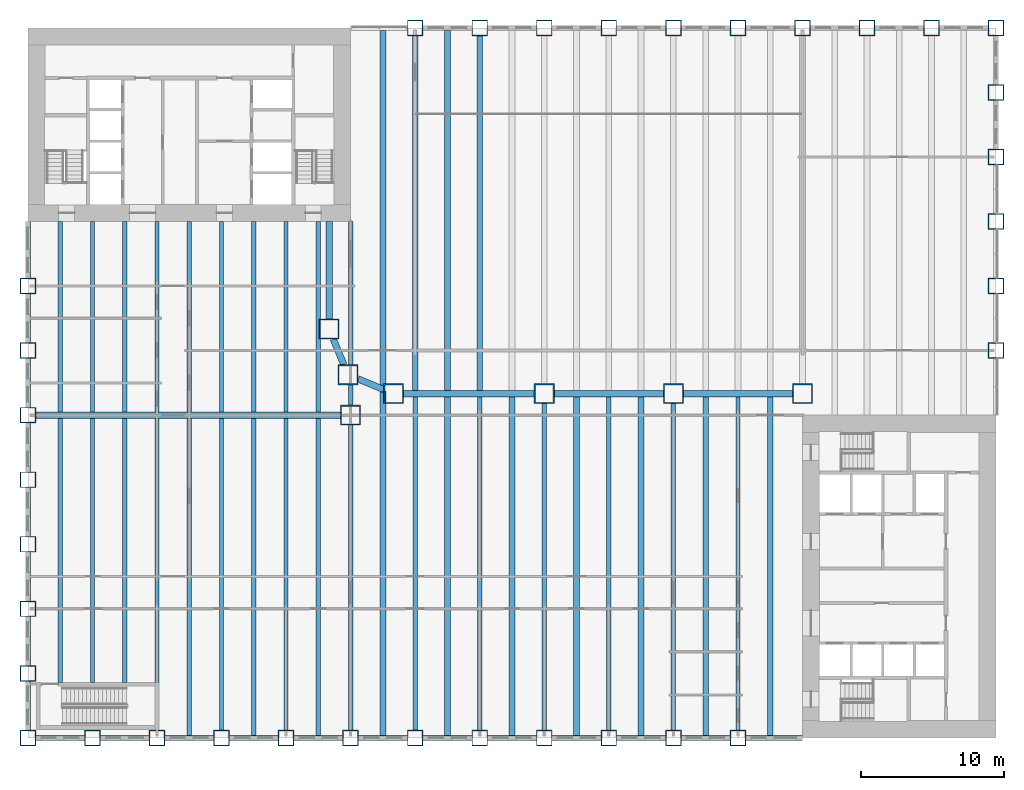
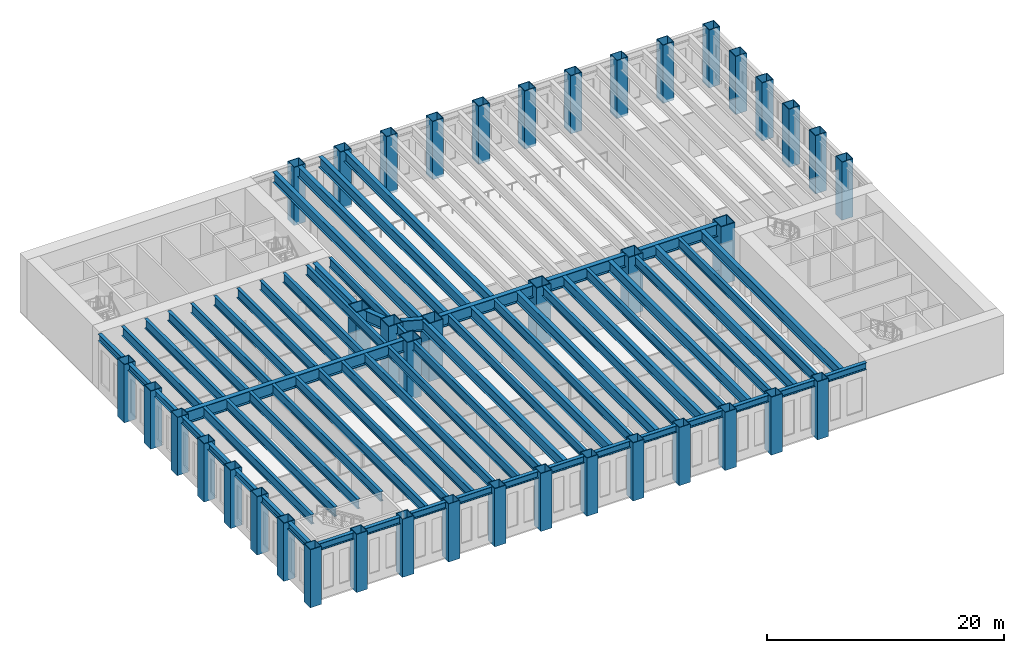
# One storey, part 1 of 19: 65 beams, 41 columns.
"""IFC4 building model written with IfcOpenShell, lengths in metres."""

import ifcopenshell
import ifcopenshell.guid

model = None  # the IFC model being written
_history = None  # IfcOwnerHistory: only IFC2X3 demands one
_inside = {}  # id of a spatial element -> (the spatial element, [elements in it])
_under = {}  # id of a project, library or spatial element -> (it, [spatial elements below it])
_declared = {}  # id of a project -> (the project, [libraries it declares])
_typed = {}  # id of a type object -> (the type object, [elements of that type])
_made_of = {}  # id of a material, layer set ... -> (it, [elements and type objects made of it])


def new_model(schema):
    """Start an empty IFC model of exactly this schema.

    Asked for "IFC4X3", IfcOpenShell would pick the latest addendum, in which some entities
    have other attributes; the version numbers below select the first issue.
    IFC2X3 requires an IfcOwnerHistory on every rooted entity: one is made here for all.
    """
    global model, _history
    if schema == "IFC4X3":
        model = ifcopenshell.file(schema_version=(4, 3, 0, 0))
    else:
        model = ifcopenshell.file(schema=schema)
    _inside.clear()
    _under.clear()
    _declared.clear()
    _typed.clear()
    _made_of.clear()
    _history = None
    if model.schema == "IFC2X3":
        org = make("IfcOrganization", Name="unknown")
        user = make(
            "IfcPersonAndOrganization",
            ThePerson=make("IfcPerson", FamilyName="unknown"),
            TheOrganization=org,
        )
        app = make(
            "IfcApplication",
            ApplicationDeveloper=org,
            Version="unknown",
            ApplicationFullName="unknown",
            ApplicationIdentifier="unknown",
        )
        _history = make(
            "IfcOwnerHistory",
            OwningUser=user,
            OwningApplication=app,
            ChangeAction="ADDED",
            CreationDate=0,
        )
    return model


def make(cls, **values):
    """One entity of the class cls with the attributes given. An attribute that is None is left unset."""
    return model.create_entity(
        cls, **{name: value for name, value in values.items() if value is not None}
    )


def rooted(cls, **values):
    """An entity with a GlobalId (a new one), such as an element, a storey or a relation."""
    return make(cls, GlobalId=ifcopenshell.guid.new(), OwnerHistory=_history, **values)


def si_unit(unit_type, name, prefix=None):
    """IfcSIUnit, for example si_unit("LENGTHUNIT", "METRE", prefix="MILLI")."""
    return make("IfcSIUnit", UnitType=unit_type, Prefix=prefix, Name=name)


def assignment(units):
    """IfcUnitAssignment: the units of a project."""
    return None if units is None else make("IfcUnitAssignment", Units=units)


def point(xyz):
    """IfcCartesianPoint."""
    return None if xyz is None else make("IfcCartesianPoint", Coordinates=xyz)


def direction(xyz):
    """IfcDirection."""
    return None if xyz is None else make("IfcDirection", DirectionRatios=xyz)


def frame(location, z_axis=None, x_axis=None):
    """IfcAxis2Placement3D, a coordinate frame: its origin and axes. An axis left out is left unset."""
    return make(
        "IfcAxis2Placement3D",
        Location=point(location),
        Axis=direction(z_axis),
        RefDirection=direction(x_axis),
    )


def frame_2d(location, x_axis=None):
    """IfcAxis2Placement2D, a coordinate frame in the plane: its origin and x axis."""
    return make(
        "IfcAxis2Placement2D", Location=point(location), RefDirection=direction(x_axis)
    )


def origin():
    """The frame at (0, 0, 0) with its axes left unset."""
    return frame((0.0, 0.0, 0.0))


def origin_2d():
    """The frame at (0, 0) in the plane with its x axis left unset."""
    return frame_2d((0.0, 0.0))


def place(relative_to, where):
    """IfcLocalPlacement: puts the frame where relative to a parent placement (None: the world)."""
    return make(
        "IfcLocalPlacement", PlacementRelTo=relative_to, RelativePlacement=where
    )


def context(
    kind, dimensions, precision=None, world=None, true_north=None, identifier=None
):
    """IfcGeometricRepresentationContext, for example the 3D "Model" context."""
    return make(
        "IfcGeometricRepresentationContext",
        ContextIdentifier=identifier,
        ContextType=kind,
        CoordinateSpaceDimension=dimensions,
        Precision=precision,
        WorldCoordinateSystem=world,
        TrueNorth=true_north,
    )


def subcontext(parent, identifier, kind, view, scale=None):
    """IfcGeometricRepresentationSubContext, for example "Body" below "Model"."""
    return make(
        "IfcGeometricRepresentationSubContext",
        ContextIdentifier=identifier,
        ContextType=kind,
        ParentContext=parent,
        TargetScale=scale,
        TargetView=view,
    )


def project(units=None, contexts=None):
    """IfcProject with its units and contexts."""
    return rooted(
        "IfcProject",
        Name="project",
        RepresentationContexts=contexts,
        UnitsInContext=assignment(units),
    )


def spatial(cls, under=None, at=None, **own):
    """A site, building, storey or space (cls), placed at a placement, below another one or the project."""
    s = rooted(cls, ObjectPlacement=at, **own)
    if under is not None:
        _under.setdefault(under.id(), (under, []))[1].append(s)
    return s


def profile(cls, at=None, kind="AREA", **sizes):
    """A parametric profile (cls). Its sizes go by their IFC names, for example OverallWidth=200.0."""
    return make(cls, ProfileType=kind, Position=at, **sizes)


def hollow_rectangle(**sizes):
    """IfcRectangleHollowProfileDef."""
    return profile("IfcRectangleHollowProfileDef", **sizes)


def i_section(**sizes):
    """IfcIShapeProfileDef."""
    return profile("IfcIShapeProfileDef", **sizes)


def extrude(swept, where, along, depth):
    """IfcExtrudedAreaSolid: the profile swept, set in the frame where, extruded along a direction by depth."""
    return make(
        "IfcExtrudedAreaSolid",
        SweptArea=swept,
        Position=where,
        ExtrudedDirection=direction(along),
        Depth=depth,
    )


def shape(context_of_items, identifier, shape_type, items):
    """IfcShapeRepresentation: the items that make up one representation, for example the "Body"."""
    return make(
        "IfcShapeRepresentation",
        ContextOfItems=context_of_items,
        RepresentationIdentifier=identifier,
        RepresentationType=shape_type,
        Items=items,
    )


def material(Name=None, Category=None):
    """IfcMaterial."""
    return make("IfcMaterial", Name=Name, Category=Category)


def material_profile(
    of_material, cross_section, Name=None, Category=None, Priority=None
):
    """IfcMaterialProfile: a cross section and its material."""
    return make(
        "IfcMaterialProfile",
        Name=Name,
        Material=of_material,
        Profile=cross_section,
        Priority=Priority,
        Category=Category,
    )


def profile_set(profiles, Name=None, composite=None):
    """IfcMaterialProfileSet."""
    return make(
        "IfcMaterialProfileSet",
        Name=Name,
        MaterialProfiles=profiles,
        CompositeProfile=composite,
    )


def made_of(thing, what):
    """Note that an element or type object is made of a material, layer set ...; save() writes the relation."""
    if what is not None:
        _made_of.setdefault(what.id(), (what, []))[1].append(thing)
    return thing


def type_object(cls, material=None, **own):
    """A type object (cls), such as IfcWallType, which elements share."""
    return made_of(rooted(cls, **own), material)


def element(
    cls,
    number,
    at=None,
    inside=None,
    cuts=None,
    type_object=None,
    material=None,
    context=None,
    identifier="Body",
    shape_type=None,
    held_by="IfcProductDefinitionShape",
    body=None,
    shapes=None,
    **own,
):
    """One element of the class cls, such as IfcWall. Its Tag is "e" and its number.

    at: its placement. inside: the storey or other place that contains it. cuts: it is an
    opening in that element (IfcRelVoidsElement). A single representation is given by context,
    identifier, shape_type and body (its items); several are given by shapes. held_by: the class
    of the entity that holds the representations. save() writes the other relations.
    """
    e = rooted(cls, Tag="e%d" % number, ObjectPlacement=at, **own)
    if body is not None:
        shapes = [shape(context, identifier, shape_type, body)]
    if shapes is not None:
        e.Representation = make(held_by, Representations=shapes)
    if inside is not None:
        _inside.setdefault(inside.id(), (inside, []))[1].append(e)
    if cuts is not None:
        rooted(
            "IfcRelVoidsElement", RelatingBuildingElement=cuts, RelatedOpeningElement=e
        )
    if type_object is not None:
        _typed.setdefault(type_object.id(), (type_object, []))[1].append(e)
    return made_of(e, material)


def aggregate(whole, parts):
    """IfcRelAggregates: a whole, such as a stair, and the parts it consists of."""
    return rooted("IfcRelAggregates", RelatingObject=whole, RelatedObjects=parts)


def save(model, path):
    """Write the relations noted so far, then the file.

    IfcRelAggregates (storeys below a building ...), IfcRelContainedInSpatialStructure (elements
    in a storey), IfcRelDefinesByType, IfcRelAssociatesMaterial and IfcRelDeclares: one each for
    every whole, place, type object, material and project.
    """
    for whole, parts in _under.values():
        aggregate(whole, parts)
    for where, things in _inside.values():
        rooted(
            "IfcRelContainedInSpatialStructure",
            RelatedElements=things,
            RelatingStructure=where,
        )
    for kind, things in _typed.values():
        rooted("IfcRelDefinesByType", RelatedObjects=things, RelatingType=kind)
    for what, things in _made_of.values():
        rooted("IfcRelAssociatesMaterial", RelatedObjects=things, RelatingMaterial=what)
    for by, libraries in _declared.values():
        rooted("IfcRelDeclares", RelatingContext=by, RelatedDefinitions=libraries)
    model.write(path)


model = new_model("IFC4")

# Units and contexts
model_context = context("Model", 3, precision=1e-05, world=origin(), true_north=direction((0.0, 1.0)))
body_context = subcontext(model_context, "Body", "Model", "MODEL_VIEW")
ifc_project = project(units=[si_unit("LENGTHUNIT", "METRE"), si_unit("AREAUNIT", "SQUARE_METRE"), si_unit("VOLUMEUNIT", "CUBIC_METRE"), si_unit("PLANEANGLEUNIT", "RADIAN"), si_unit("MASSUNIT", "GRAM", prefix="KILO")], contexts=[model_context])

# Site, building, storey
site_placement = place(None, origin())
site = spatial("IfcSite", under=ifc_project, at=site_placement, CompositionType="ELEMENT")
building_placement = place(site_placement, origin())
building = spatial("IfcBuilding", under=site, at=building_placement, Name="Sennacour Bend Tower", CompositionType="ELEMENT")
storey_placement = place(building_placement, frame((0.0, 0.0, 8.0)))
storey = spatial("IfcBuildingStorey", under=building, at=storey_placement, Name="L01", CompositionType="ELEMENT", Elevation=8.0)

# Columns
ifc_material_1 = material(Name="Steel ASTM A572 Grade 50", Category="steel")
ifc_material_profile_1 = material_profile(ifc_material_1, hollow_rectangle(XDim=1.10009765625, YDim=1.10009765625, WallThickness=0.06005859375, at=origin_2d()), Name="Steel ASTM A572 Grade 50", Category="steel")
ifc_profile_set_1 = profile_set([ifc_material_profile_1], Name="Steel ASTM A572 Grade 50")
column_type_1 = type_object("IfcColumnType", Name="Box column 1100", PredefinedType="COLUMN", material=ifc_profile_set_1)
for number, where, z_axis, x_axis, name in (
    (1, (0.0, 0.0, -0.25), (0.0, 0.0, 1.0), (1.0, 0.0, 0.0), "Perimeter column C1 L01-001"),
    (2, (0.0, 4.5, -0.25), (0.0, 0.0, 1.0), (1.0, 0.0, 0.0), "Perimeter column C1 L01-002"),
    (3, (0.0, 9.0, -0.25), (0.0, 0.0, 1.0), (1.0, 0.0, 0.0), "Perimeter column C1 L01-003"),
    (4, (0.0, 13.5, -0.25), (0.0, 0.0, 1.0), (1.0, 0.0, 0.0), "Perimeter column C1 L01-004"),
    (5, (0.0, 18.0, -0.25), (0.0, 0.0, 1.0), (1.0, 0.0, 0.0), "Perimeter column C1 L01-005"),
    (6, (0.0, 22.5, -0.25), (0.0, 0.0, 1.0), (1.0, 0.0, 0.0), "Perimeter column C1 L01-006"),
    (7, (0.0, 27.0, -0.25), (0.0, 0.0, 1.0), (1.0, 0.0, 0.0), "Perimeter column C1 L01-007"),
    (8, (0.0, 31.5, -0.25), (0.0, 0.0, 1.0), (1.0, 0.0, 0.0), "Perimeter column C1 L01-008"),
    (9, (4.5, 0.0, -0.25), (0.0, 0.0, 1.0), (1.0, 0.0, 0.0), "Perimeter column C1 L01-009"),
    (10, (9.0, 0.0, -0.25), (0.0, 0.0, 1.0), (1.0, 0.0, 0.0), "Perimeter column C1 L01-010"),
    (11, (13.5, 0.0, -0.25), (0.0, 0.0, 1.0), (1.0, 0.0, 0.0), "Perimeter column C1 L01-011"),
    (12, (18.0, 0.0, -0.25), (0.0, 0.0, 1.0), (1.0, 0.0, 0.0), "Perimeter column C1 L01-012"),
    (13, (22.5, 0.0, -0.25), (0.0, 0.0, 1.0), (1.0, 0.0, 0.0), "Perimeter column C1 L01-015"),
    (14, (27.0, 0.0, -0.25), (0.0, 0.0, 1.0), (1.0, 0.0, 0.0), "Perimeter column C1 L01-018"),
    (15, (27.0, 49.5, -0.25), (0.0, 0.0, 1.0), (1.0, 0.0, 0.0), "Perimeter column C1 L01-019"),
    (16, (31.5, 0.0, -0.25), (0.0, 0.0, 1.0), (1.0, 0.0, 0.0), "Perimeter column C1 L01-020"),
    (17, (31.5, 49.5, -0.25), (0.0, 0.0, 1.0), (1.0, 0.0, 0.0), "Perimeter column C1 L01-021"),
    (18, (36.0, 0.0, -0.25), (0.0, 0.0, 1.0), (1.0, 0.0, 0.0), "Perimeter column C1 L01-022"),
    (19, (36.0, 49.5, -0.25), (0.0, 0.0, 1.0), (1.0, 0.0, 0.0), "Perimeter column C1 L01-024"),
    (20, (40.5, 0.0, -0.25), (0.0, 0.0, 1.0), (1.0, 0.0, 0.0), "Perimeter column C1 L01-025"),
    (21, (40.5, 49.5, -0.25), (0.0, 0.0, 1.0), (1.0, 0.0, 0.0), "Perimeter column C1 L01-026"),
    (22, (45.0, 0.0, -0.25), (0.0, 0.0, 1.0), (1.0, 0.0, 0.0), "Perimeter column C1 L01-027"),
    (23, (45.0, 49.5, -0.25), (0.0, 0.0, 1.0), (1.0, 0.0, 0.0), "Perimeter column C1 L01-029"),
    (24, (49.5, 0.0, -0.25), (0.0, 0.0, 1.0), (1.0, 0.0, 0.0), "Perimeter column C1 L01-030"),
    (25, (49.5, 49.5, -0.25), (0.0, 0.0, 1.0), (1.0, 0.0, 0.0), "Perimeter column C1 L01-031"),
    (26, (54.0, 49.5, -0.25), (0.0, 0.0, 1.0), (1.0, 0.0, 0.0), "Perimeter column C1 L01-033"),
    (27, (58.5, 49.5, -0.25), (0.0, 0.0, 1.0), (1.0, 0.0, 0.0), "Perimeter column C1 L01-034"),
    (28, (63.0, 49.5, -0.25), (0.0, 0.0, 1.0), (1.0, 0.0, 0.0), "Perimeter column C1 L01-035"),
    (29, (67.5, 27.0, -0.25), (0.0, 0.0, 1.0), (1.0, 0.0, 0.0), "Perimeter column C1 L01-036"),
    (30, (67.5, 31.5, -0.25), (0.0, 0.0, 1.0), (1.0, 0.0, 0.0), "Perimeter column C1 L01-037"),
    (31, (67.5, 36.0, -0.25), (0.0, 0.0, 1.0), (1.0, 0.0, 0.0), "Perimeter column C1 L01-038"),
    (32, (67.5, 40.5, -0.25), (0.0, 0.0, 1.0), (1.0, 0.0, 0.0), "Perimeter column C1 L01-039"),
    (33, (67.5, 45.0, -0.25), (0.0, 0.0, 1.0), (1.0, 0.0, 0.0), "Perimeter column C1 L01-040"),
    (34, (67.5, 49.5, -0.25), (0.0, 0.0, 1.0), (1.0, 0.0, 0.0), "Perimeter column C1 L01-041"),
):
    element("IfcColumn", number, at=place(storey_placement, frame(where, z_axis=z_axis, x_axis=x_axis)), inside=storey, type_object=column_type_1, Name=name, PredefinedType="COLUMN", context=body_context, shape_type="SweptSolid", body=[
        extrude(hollow_rectangle(XDim=1.10009765625, YDim=1.10009765625, WallThickness=0.06005859375, at=origin_2d()), origin(), (0.0, 0.0, 1.0), 6.0),
    ])
ifc_material_profile_2 = material_profile(ifc_material_1, hollow_rectangle(XDim=1.39990234375, YDim=1.39990234375, WallThickness=0.080078125, at=origin_2d()), Name="Steel ASTM A572 Grade 50", Category="steel")
ifc_profile_set_2 = profile_set([ifc_material_profile_2], Name="Steel ASTM A572 Grade 50")
column_type_2 = type_object("IfcColumnType", Name="Mega box column 1400", PredefinedType="COLUMN", material=ifc_profile_set_2)
for number, where, z_axis, x_axis, name in (
    (35, (21.0, 28.5, -0.25), (0.0, 0.0, 1.0), (1.0, 0.0, 0.0), "Mega column C0 L01-013"),
    (36, (22.318115234375, 25.318115234375, -0.25), (0.0, 0.0, 1.0), (1.0, 0.0, 0.0), "Mega column C0 L01-014"),
    (37, (22.5, 22.5, -0.25), (0.0, 0.0, 1.0), (1.0, 0.0, 0.0), "Knuckle column C0 L01-016"),
    (38, (25.5, 24.0, -0.25), (0.0, 0.0, 1.0), (1.0, 0.0, 0.0), "Mega column C0 L01-017"),
    (39, (36.0, 24.0, -0.25), (0.0, 0.0, 1.0), (1.0, 0.0, 0.0), "Mega column C0 L01-023"),
    (40, (45.0, 24.0, -0.25), (0.0, 0.0, 1.0), (1.0, 0.0, 0.0), "Mega column C0 L01-028"),
    (41, (54.0, 24.0, -0.25), (0.0, 0.0, 1.0), (1.0, 0.0, 0.0), "Mega column C0 L01-032"),
):
    element("IfcColumn", number, at=place(storey_placement, frame(where, z_axis=z_axis, x_axis=x_axis)), inside=storey, type_object=column_type_2, Name=name, PredefinedType="COLUMN", context=body_context, shape_type="SweptSolid", body=[
        extrude(hollow_rectangle(XDim=1.39990234375, YDim=1.39990234375, WallThickness=0.080078125, at=origin_2d()), origin(), (0.0, 0.0, 1.0), 6.0),
    ])

# Beams
ifc_material_2 = material(Name="Steel ASTM A992 Grade 50", Category="steel")
ifc_material_profile_3 = material_profile(ifc_material_2, i_section(OverallWidth=0.300048828125, OverallDepth=0.990966796875, WebThickness=0.0166015625, FlangeThickness=0.030517578125, FilletRadius=0.030029296875, at=origin_2d()), Name="Steel ASTM A992 Grade 50", Category="steel")
ifc_profile_set_3 = profile_set([ifc_material_profile_3], Name="Steel ASTM A992 Grade 50")
beam_type_1 = type_object("IfcBeamType", Name="Floor beam W1000X272", PredefinedType="BEAM", material=ifc_profile_set_3)
beam_1_placement = place(storey_placement, frame((2.25, 3.875, 5.25439453125), z_axis=(0.0, 1.0, 0.0), x_axis=(-1.0, 0.0, 0.0)))
element("IfcBeam", 42, at=beam_1_placement, inside=storey, type_object=beam_type_1, Name="Floor beam FBM3 L02-001", PredefinedType="BEAM", context=body_context, shape_type="SweptSolid", body=[
    extrude(i_section(OverallWidth=0.300048828125, OverallDepth=0.990966796875, WebThickness=0.0166015625, FlangeThickness=0.030517578125, FilletRadius=0.030029296875, at=origin_2d()), origin(), (0.0, 0.0, 1.0), 18.39990234375),
])
beam_2_placement = place(storey_placement, frame((2.25, 22.72509765625, 5.25439453125), z_axis=(0.0, 1.0, 0.0), x_axis=(-1.0, 0.0, 0.0)))
element("IfcBeam", 43, at=beam_2_placement, inside=storey, type_object=beam_type_1, Name="Floor beam FBM3 L02-002", PredefinedType="BEAM", context=body_context, shape_type="SweptSolid", body=[
    extrude(i_section(OverallWidth=0.300048828125, OverallDepth=0.990966796875, WebThickness=0.0166015625, FlangeThickness=0.030517578125, FilletRadius=0.030029296875, at=origin_2d()), origin(), (0.0, 0.0, 1.0), 13.27490234375),
])
beam_3_placement = place(storey_placement, frame((4.5, 3.875, 5.25439453125), z_axis=(0.0, 1.0, 0.0), x_axis=(-1.0, 0.0, 0.0)))
element("IfcBeam", 44, at=beam_3_placement, inside=storey, type_object=beam_type_1, Name="Floor beam FBM3 L02-003", PredefinedType="BEAM", context=body_context, shape_type="SweptSolid", body=[
    extrude(i_section(OverallWidth=0.300048828125, OverallDepth=0.990966796875, WebThickness=0.0166015625, FlangeThickness=0.030517578125, FilletRadius=0.030029296875, at=origin_2d()), origin(), (0.0, 0.0, 1.0), 18.39990234375),
])
beam_4_placement = place(storey_placement, frame((4.5, 22.72509765625, 5.25439453125), z_axis=(0.0, 1.0, 0.0), x_axis=(-1.0, 0.0, 0.0)))
element("IfcBeam", 45, at=beam_4_placement, inside=storey, type_object=beam_type_1, Name="Floor beam FBM3 L02-004", PredefinedType="BEAM", context=body_context, shape_type="SweptSolid", body=[
    extrude(i_section(OverallWidth=0.300048828125, OverallDepth=0.990966796875, WebThickness=0.0166015625, FlangeThickness=0.030517578125, FilletRadius=0.030029296875, at=origin_2d()), origin(), (0.0, 0.0, 1.0), 13.27490234375),
])
beam_5_placement = place(storey_placement, frame((6.75, 3.875, 5.25439453125), z_axis=(0.0, 1.0, 0.0), x_axis=(-1.0, 0.0, 0.0)))
element("IfcBeam", 46, at=beam_5_placement, inside=storey, type_object=beam_type_1, Name="Floor beam FBM3 L02-005", PredefinedType="BEAM", context=body_context, shape_type="SweptSolid", body=[
    extrude(i_section(OverallWidth=0.300048828125, OverallDepth=0.990966796875, WebThickness=0.0166015625, FlangeThickness=0.030517578125, FilletRadius=0.030029296875, at=origin_2d()), origin(), (0.0, 0.0, 1.0), 18.39990234375),
])
beam_6_placement = place(storey_placement, frame((6.75, 22.72509765625, 5.25439453125), z_axis=(0.0, 1.0, 0.0), x_axis=(-1.0, 0.0, 0.0)))
element("IfcBeam", 47, at=beam_6_placement, inside=storey, type_object=beam_type_1, Name="Floor beam FBM3 L02-006", PredefinedType="BEAM", context=body_context, shape_type="SweptSolid", body=[
    extrude(i_section(OverallWidth=0.300048828125, OverallDepth=0.990966796875, WebThickness=0.0166015625, FlangeThickness=0.030517578125, FilletRadius=0.030029296875, at=origin_2d()), origin(), (0.0, 0.0, 1.0), 13.27490234375),
])
beam_7_placement = place(storey_placement, frame((9.0, 3.875, 5.25439453125), z_axis=(0.0, 1.0, 0.0), x_axis=(-1.0, 0.0, 0.0)))
element("IfcBeam", 48, at=beam_7_placement, inside=storey, type_object=beam_type_1, Name="Floor beam FBM3 L02-007", PredefinedType="BEAM", context=body_context, shape_type="SweptSolid", body=[
    extrude(i_section(OverallWidth=0.300048828125, OverallDepth=0.990966796875, WebThickness=0.0166015625, FlangeThickness=0.030517578125, FilletRadius=0.030029296875, at=origin_2d()), origin(), (0.0, 0.0, 1.0), 18.39990234375),
])
beam_8_placement = place(storey_placement, frame((9.0, 22.72509765625, 5.25439453125), z_axis=(0.0, 1.0, 0.0), x_axis=(-1.0, 0.0, 0.0)))
element("IfcBeam", 49, at=beam_8_placement, inside=storey, type_object=beam_type_1, Name="Floor beam FBM3 L02-008", PredefinedType="BEAM", context=body_context, shape_type="SweptSolid", body=[
    extrude(i_section(OverallWidth=0.300048828125, OverallDepth=0.990966796875, WebThickness=0.0166015625, FlangeThickness=0.030517578125, FilletRadius=0.030029296875, at=origin_2d()), origin(), (0.0, 0.0, 1.0), 13.27490234375),
])
beam_9_placement = place(storey_placement, frame((11.25, 0.177978515625, 5.25439453125), z_axis=(0.0, 1.0, 0.0), x_axis=(-1.0, 0.0, 0.0)))
element("IfcBeam", 50, at=beam_9_placement, inside=storey, type_object=beam_type_1, Name="Floor beam FBM3 L02-009", PredefinedType="BEAM", context=body_context, shape_type="SweptSolid", body=[
    extrude(i_section(OverallWidth=0.300048828125, OverallDepth=0.990966796875, WebThickness=0.0166015625, FlangeThickness=0.030517578125, FilletRadius=0.030029296875, at=origin_2d()), origin(), (0.0, 0.0, 1.0), 22.096923828125),
])
beam_10_placement = place(storey_placement, frame((11.25, 22.72509765625, 5.25439453125), z_axis=(0.0, 1.0, 0.0), x_axis=(-1.0, 0.0, 0.0)))
element("IfcBeam", 51, at=beam_10_placement, inside=storey, type_object=beam_type_1, Name="Floor beam FBM3 L02-010", PredefinedType="BEAM", context=body_context, shape_type="SweptSolid", body=[
    extrude(i_section(OverallWidth=0.300048828125, OverallDepth=0.990966796875, WebThickness=0.0166015625, FlangeThickness=0.030517578125, FilletRadius=0.030029296875, at=origin_2d()), origin(), (0.0, 0.0, 1.0), 13.27490234375),
])
beam_11_placement = place(storey_placement, frame((13.5, 0.550048828125, 5.25439453125), z_axis=(0.0, 1.0, 0.0), x_axis=(-1.0, 0.0, 0.0)))
element("IfcBeam", 52, at=beam_11_placement, inside=storey, type_object=beam_type_1, Name="Floor beam FBM3 L02-011", PredefinedType="BEAM", context=body_context, shape_type="SweptSolid", body=[
    extrude(i_section(OverallWidth=0.300048828125, OverallDepth=0.990966796875, WebThickness=0.0166015625, FlangeThickness=0.030517578125, FilletRadius=0.030029296875, at=origin_2d()), origin(), (0.0, 0.0, 1.0), 21.724853515625),
])
beam_12_placement = place(storey_placement, frame((13.5, 22.72509765625, 5.25439453125), z_axis=(0.0, 1.0, 0.0), x_axis=(-1.0, 0.0, 0.0)))
element("IfcBeam", 53, at=beam_12_placement, inside=storey, type_object=beam_type_1, Name="Floor beam FBM3 L02-012", PredefinedType="BEAM", context=body_context, shape_type="SweptSolid", body=[
    extrude(i_section(OverallWidth=0.300048828125, OverallDepth=0.990966796875, WebThickness=0.0166015625, FlangeThickness=0.030517578125, FilletRadius=0.030029296875, at=origin_2d()), origin(), (0.0, 0.0, 1.0), 13.27490234375),
])
beam_13_placement = place(storey_placement, frame((15.75, 0.177978515625, 5.25439453125), z_axis=(0.0, 1.0, 0.0), x_axis=(-1.0, 0.0, 0.0)))
element("IfcBeam", 54, at=beam_13_placement, inside=storey, type_object=beam_type_1, Name="Floor beam FBM3 L02-013", PredefinedType="BEAM", context=body_context, shape_type="SweptSolid", body=[
    extrude(i_section(OverallWidth=0.300048828125, OverallDepth=0.990966796875, WebThickness=0.0166015625, FlangeThickness=0.030517578125, FilletRadius=0.030029296875, at=origin_2d()), origin(), (0.0, 0.0, 1.0), 22.096923828125),
])
beam_14_placement = place(storey_placement, frame((15.75, 22.72509765625, 5.25439453125), z_axis=(0.0, 1.0, 0.0), x_axis=(-1.0, 0.0, 0.0)))
element("IfcBeam", 55, at=beam_14_placement, inside=storey, type_object=beam_type_1, Name="Floor beam FBM3 L02-014", PredefinedType="BEAM", context=body_context, shape_type="SweptSolid", body=[
    extrude(i_section(OverallWidth=0.300048828125, OverallDepth=0.990966796875, WebThickness=0.0166015625, FlangeThickness=0.030517578125, FilletRadius=0.030029296875, at=origin_2d()), origin(), (0.0, 0.0, 1.0), 13.27490234375),
])
beam_15_placement = place(storey_placement, frame((18.0, 0.550048828125, 5.25439453125), z_axis=(0.0, 1.0, 0.0), x_axis=(-1.0, 0.0, 0.0)))
element("IfcBeam", 56, at=beam_15_placement, inside=storey, type_object=beam_type_1, Name="Floor beam FBM3 L02-015", PredefinedType="BEAM", context=body_context, shape_type="SweptSolid", body=[
    extrude(i_section(OverallWidth=0.300048828125, OverallDepth=0.990966796875, WebThickness=0.0166015625, FlangeThickness=0.030517578125, FilletRadius=0.030029296875, at=origin_2d()), origin(), (0.0, 0.0, 1.0), 21.724853515625),
])
beam_16_placement = place(storey_placement, frame((18.0, 22.72509765625, 5.25439453125), z_axis=(0.0, 1.0, 0.0), x_axis=(-1.0, 0.0, 0.0)))
element("IfcBeam", 57, at=beam_16_placement, inside=storey, type_object=beam_type_1, Name="Floor beam FBM3 L02-016", PredefinedType="BEAM", context=body_context, shape_type="SweptSolid", body=[
    extrude(i_section(OverallWidth=0.300048828125, OverallDepth=0.990966796875, WebThickness=0.0166015625, FlangeThickness=0.030517578125, FilletRadius=0.030029296875, at=origin_2d()), origin(), (0.0, 0.0, 1.0), 13.27490234375),
])
beam_17_placement = place(storey_placement, frame((20.25, 0.177978515625, 5.25439453125), z_axis=(0.0, 1.0, 0.0), x_axis=(-1.0, 0.0, 0.0)))
element("IfcBeam", 58, at=beam_17_placement, inside=storey, type_object=beam_type_1, Name="Floor beam FBM3 L02-017", PredefinedType="BEAM", context=body_context, shape_type="SweptSolid", body=[
    extrude(i_section(OverallWidth=0.300048828125, OverallDepth=0.990966796875, WebThickness=0.0166015625, FlangeThickness=0.030517578125, FilletRadius=0.030029296875, at=origin_2d()), origin(), (0.0, 0.0, 1.0), 22.096923828125),
])
beam_18_placement = place(storey_placement, frame((20.25, 22.72509765625, 5.25439453125), z_axis=(0.0, 1.0, 0.0), x_axis=(-1.0, 0.0, 0.0)))
element("IfcBeam", 59, at=beam_18_placement, inside=storey, type_object=beam_type_1, Name="Floor beam FBM3 L02-018", PredefinedType="BEAM", context=body_context, shape_type="SweptSolid", body=[
    extrude(i_section(OverallWidth=0.300048828125, OverallDepth=0.990966796875, WebThickness=0.0166015625, FlangeThickness=0.030517578125, FilletRadius=0.030029296875, at=origin_2d()), origin(), (0.0, 0.0, 1.0), 13.27490234375),
])
beam_19_placement = place(storey_placement, frame((22.5, 0.550048828125, 5.25439453125), z_axis=(0.0, 1.0, 0.0), x_axis=(-1.0, 0.0, 0.0)))
element("IfcBeam", 60, at=beam_19_placement, inside=storey, type_object=beam_type_1, Name="Floor beam FBM3 L02-019", PredefinedType="BEAM", context=body_context, shape_type="SweptSolid", body=[
    extrude(i_section(OverallWidth=0.300048828125, OverallDepth=0.990966796875, WebThickness=0.0166015625, FlangeThickness=0.030517578125, FilletRadius=0.030029296875, at=origin_2d()), origin(), (0.0, 0.0, 1.0), 21.25),
])
beam_20_placement = place(storey_placement, frame((22.5, 23.199951171875, 5.25439453125), z_axis=(0.0, 1.0, 0.0), x_axis=(-1.0, 0.0, 0.0)))
element("IfcBeam", 61, at=beam_20_placement, inside=storey, type_object=beam_type_1, Name="Floor beam FBM3 L02-020", PredefinedType="BEAM", context=body_context, shape_type="SweptSolid", body=[
    extrude(i_section(OverallWidth=0.300048828125, OverallDepth=0.990966796875, WebThickness=0.0166015625, FlangeThickness=0.030517578125, FilletRadius=0.030029296875, at=origin_2d()), origin(), (0.0, 0.0, 1.0), 1.41796875),
])
beam_21_placement = place(storey_placement, frame((22.5, 26.01806640625, 5.25439453125), z_axis=(0.0, 1.0, 0.0), x_axis=(-1.0, 0.0, 0.0)))
element("IfcBeam", 62, at=beam_21_placement, inside=storey, type_object=beam_type_1, Name="Floor beam FBM3 L02-021", PredefinedType="BEAM", context=body_context, shape_type="SweptSolid", body=[
    extrude(i_section(OverallWidth=0.300048828125, OverallDepth=0.990966796875, WebThickness=0.0166015625, FlangeThickness=0.030517578125, FilletRadius=0.030029296875, at=origin_2d()), origin(), (0.0, 0.0, 1.0), 9.98193359375),
])
for number, where, z_axis, x_axis, name in (
    (63, (27.0, 0.550048828125, 5.25439453125), (0.0, 1.0, 0.0), (-1.0, 0.0, 0.0), "Floor beam FBM3 L02-024"),
    (64, (31.5, 0.550048828125, 5.25439453125), (0.0, 1.0, 0.0), (-1.0, 0.0, 0.0), "Floor beam FBM3 L02-028"),
):
    element("IfcBeam", number, at=place(storey_placement, frame(where, z_axis=z_axis, x_axis=x_axis)), inside=storey, type_object=beam_type_1, Name=name, PredefinedType="BEAM", context=body_context, shape_type="SweptSolid", body=[
        extrude(i_section(OverallWidth=0.300048828125, OverallDepth=0.990966796875, WebThickness=0.0166015625, FlangeThickness=0.030517578125, FilletRadius=0.030029296875, at=origin_2d()), origin(), (0.0, 0.0, 1.0), 23.224853515625),
    ])
beam_22_placement = place(storey_placement, frame((36.0, 0.550048828125, 5.25439453125), z_axis=(0.0, 1.0, 0.0), x_axis=(-1.0, 0.0, 0.0)))
element("IfcBeam", 65, at=beam_22_placement, inside=storey, type_object=beam_type_1, Name="Floor beam FBM3 L02-032", PredefinedType="BEAM", context=body_context, shape_type="SweptSolid", body=[
    extrude(i_section(OverallWidth=0.300048828125, OverallDepth=0.990966796875, WebThickness=0.0166015625, FlangeThickness=0.030517578125, FilletRadius=0.030029296875, at=origin_2d()), origin(), (0.0, 0.0, 1.0), 22.75),
])
beam_23_placement = place(storey_placement, frame((40.5, 0.550048828125, 5.25439453125), z_axis=(0.0, 1.0, 0.0), x_axis=(-1.0, 0.0, 0.0)))
element("IfcBeam", 66, at=beam_23_placement, inside=storey, type_object=beam_type_1, Name="Floor beam FBM3 L02-036", PredefinedType="BEAM", context=body_context, shape_type="SweptSolid", body=[
    extrude(i_section(OverallWidth=0.300048828125, OverallDepth=0.990966796875, WebThickness=0.0166015625, FlangeThickness=0.030517578125, FilletRadius=0.030029296875, at=origin_2d()), origin(), (0.0, 0.0, 1.0), 23.224853515625),
])
beam_24_placement = place(storey_placement, frame((45.0, 0.550048828125, 5.25439453125), z_axis=(0.0, 1.0, 0.0), x_axis=(-1.0, 0.0, 0.0)))
element("IfcBeam", 67, at=beam_24_placement, inside=storey, type_object=beam_type_1, Name="Floor beam FBM3 L02-040", PredefinedType="BEAM", context=body_context, shape_type="SweptSolid", body=[
    extrude(i_section(OverallWidth=0.300048828125, OverallDepth=0.990966796875, WebThickness=0.0166015625, FlangeThickness=0.030517578125, FilletRadius=0.030029296875, at=origin_2d()), origin(), (0.0, 0.0, 1.0), 22.75),
])
beam_25_placement = place(storey_placement, frame((49.5, 0.550048828125, 5.25439453125), z_axis=(0.0, 1.0, 0.0), x_axis=(-1.0, 0.0, 0.0)))
element("IfcBeam", 68, at=beam_25_placement, inside=storey, type_object=beam_type_1, Name="Floor beam FBM3 L02-044", PredefinedType="BEAM", context=body_context, shape_type="SweptSolid", body=[
    extrude(i_section(OverallWidth=0.300048828125, OverallDepth=0.990966796875, WebThickness=0.0166015625, FlangeThickness=0.030517578125, FilletRadius=0.030029296875, at=origin_2d()), origin(), (0.0, 0.0, 1.0), 23.224853515625),
])
ifc_material_profile_4 = material_profile(ifc_material_1, i_section(OverallWidth=0.449951171875, OverallDepth=1.25, WebThickness=0.028076171875, FlangeThickness=0.050048828125, at=origin_2d()), Name="Steel ASTM A572 Grade 50", Category="steel")
ifc_profile_set_4 = profile_set([ifc_material_profile_4], Name="Steel ASTM A572 Grade 50")
beam_type_2 = type_object("IfcBeamType", Name="Knuckle girder 1250", PredefinedType="USERDEFINED", material=ifc_profile_set_4)
for number, where, z_axis, x_axis, name in (
    (69, (24.800048828125, 24.2900390625, 5.125), (-0.923894961945, 0.382646180293, 0.0), (-0.382646180293, -0.923894961945, 0.0), "Podium girder GK L02-001"),
    (70, (22.028076171875, 26.01806640625, 5.125), (-0.382646180293, 0.923894961945, 0.0), (-0.923894961945, -0.382646180293, 0.0), "Podium girder GK L02-002"),
):
    element("IfcBeam", number, at=place(storey_placement, frame(where, z_axis=z_axis, x_axis=x_axis)), inside=storey, type_object=beam_type_2, Name=name, ObjectType="KNUCKLE GIRDER", PredefinedType="USERDEFINED", context=body_context, shape_type="SweptSolid", body=[
        extrude(i_section(OverallWidth=0.449951171875, OverallDepth=1.25, WebThickness=0.028076171875, FlangeThickness=0.050048828125, at=origin_2d()), origin(), (0.0, 0.0, 1.0), 1.9287109375),
    ])
for number, where, z_axis, x_axis, name in (
    (71, (53.300048828125, 24.0, 5.125), (-1.0, 0.0, 0.0), (0.0, -1.0, 0.0), "Podium girder GK L02-003"),
    (72, (44.300048828125, 24.0, 5.125), (-1.0, 0.0, 0.0), (0.0, -1.0, 0.0), "Podium girder GK L02-004"),
):
    element("IfcBeam", number, at=place(storey_placement, frame(where, z_axis=z_axis, x_axis=x_axis)), inside=storey, type_object=beam_type_2, Name=name, ObjectType="KNUCKLE GIRDER", PredefinedType="USERDEFINED", context=body_context, shape_type="SweptSolid", body=[
        extrude(i_section(OverallWidth=0.449951171875, OverallDepth=1.25, WebThickness=0.028076171875, FlangeThickness=0.050048828125, at=origin_2d()), origin(), (0.0, 0.0, 1.0), 7.60009765625),
    ])
beam_26_placement = place(storey_placement, frame((35.300048828125, 24.0, 5.125), z_axis=(-1.0, 0.0, 0.0), x_axis=(0.0, -1.0, 0.0)))
element("IfcBeam", 73, at=beam_26_placement, inside=storey, type_object=beam_type_2, Name="Podium girder GK L02-005", ObjectType="KNUCKLE GIRDER", PredefinedType="USERDEFINED", context=body_context, shape_type="SweptSolid", body=[
    extrude(i_section(OverallWidth=0.449951171875, OverallDepth=1.25, WebThickness=0.028076171875, FlangeThickness=0.050048828125, at=origin_2d()), origin(), (0.0, 0.0, 1.0), 9.10009765625),
])
beam_27_placement = place(storey_placement, frame((21.0, 29.199951171875, 5.125), z_axis=(0.0, 1.0, 0.0), x_axis=(-1.0, 0.0, 0.0)))
element("IfcBeam", 74, at=beam_27_placement, inside=storey, type_object=beam_type_2, Name="Podium girder GK L02-006", ObjectType="KNUCKLE GIRDER", PredefinedType="USERDEFINED", context=body_context, shape_type="SweptSolid", body=[
    extrude(i_section(OverallWidth=0.449951171875, OverallDepth=1.25, WebThickness=0.028076171875, FlangeThickness=0.050048828125, at=origin_2d()), origin(), (0.0, 0.0, 1.0), 6.800048828125),
])
beam_28_placement = place(storey_placement, frame((0.550048828125, 22.5, 5.125), z_axis=(1.0, 0.0, 0.0), x_axis=(0.0, 1.0, 0.0)))
element("IfcBeam", 75, at=beam_28_placement, inside=storey, type_object=beam_type_2, Name="Knuckle girder GK L02-001", ObjectType="KNUCKLE GIRDER", PredefinedType="USERDEFINED", context=body_context, shape_type="SweptSolid", body=[
    extrude(i_section(OverallWidth=0.449951171875, OverallDepth=1.25, WebThickness=0.028076171875, FlangeThickness=0.050048828125, at=origin_2d()), origin(), (0.0, 0.0, 1.0), 21.25),
])
ifc_material_profile_5 = material_profile(ifc_material_2, i_section(OverallWidth=0.40087890625, OverallDepth=1.090087890625, WebThickness=0.01806640625, FlangeThickness=0.031005859375, FilletRadius=0.02001953125, at=origin_2d()), Name="Steel ASTM A992 Grade 50", Category="steel")
ifc_profile_set_5 = profile_set([ifc_material_profile_5], Name="Steel ASTM A992 Grade 50")
beam_type_3 = type_object("IfcBeamType", Name="Notch floor beam W1100X343", PredefinedType="BEAM", material=ifc_profile_set_5)
beam_29_placement = place(storey_placement, frame((24.75, 0.177978515625, 5.205078125), z_axis=(0.0, 1.0, 0.0), x_axis=(-1.0, 0.0, 0.0)))
element("IfcBeam", 76, at=beam_29_placement, inside=storey, type_object=beam_type_3, Name="Floor beam FBM4 L02-022", PredefinedType="BEAM", context=body_context, shape_type="SweptSolid", body=[
    extrude(i_section(OverallWidth=0.40087890625, OverallDepth=1.090087890625, WebThickness=0.01806640625, FlangeThickness=0.031005859375, FilletRadius=0.02001953125, at=origin_2d()), origin(), (0.0, 0.0, 1.0), 23.9912109375),
])
beam_30_placement = place(storey_placement, frame((24.75, 24.55419921875, 5.205078125), z_axis=(0.0, 1.0, 0.0), x_axis=(-1.0, 0.0, 0.0)))
element("IfcBeam", 77, at=beam_30_placement, inside=storey, type_object=beam_type_3, Name="Floor beam FBM4 L02-023", PredefinedType="BEAM", context=body_context, shape_type="SweptSolid", body=[
    extrude(i_section(OverallWidth=0.40087890625, OverallDepth=1.090087890625, WebThickness=0.01806640625, FlangeThickness=0.031005859375, FilletRadius=0.02001953125, at=origin_2d()), origin(), (0.0, 0.0, 1.0), 24.767822265625),
])
beam_31_placement = place(storey_placement, frame((27.0, 24.22509765625, 5.205078125), z_axis=(0.0, 1.0, 0.0), x_axis=(-1.0, 0.0, 0.0)))
element("IfcBeam", 78, at=beam_31_placement, inside=storey, type_object=beam_type_3, Name="Floor beam FBM4 L02-025", PredefinedType="BEAM", context=body_context, shape_type="SweptSolid", body=[
    extrude(i_section(OverallWidth=0.40087890625, OverallDepth=1.090087890625, WebThickness=0.01806640625, FlangeThickness=0.031005859375, FilletRadius=0.02001953125, at=origin_2d()), origin(), (0.0, 0.0, 1.0), 24.724853515625),
])
beam_32_placement = place(storey_placement, frame((29.25, 0.177978515625, 5.205078125), z_axis=(0.0, 1.0, 0.0), x_axis=(-1.0, 0.0, 0.0)))
element("IfcBeam", 79, at=beam_32_placement, inside=storey, type_object=beam_type_3, Name="Floor beam FBM4 L02-026", PredefinedType="BEAM", context=body_context, shape_type="SweptSolid", body=[
    extrude(i_section(OverallWidth=0.40087890625, OverallDepth=1.090087890625, WebThickness=0.01806640625, FlangeThickness=0.031005859375, FilletRadius=0.02001953125, at=origin_2d()), origin(), (0.0, 0.0, 1.0), 23.596923828125),
])
beam_33_placement = place(storey_placement, frame((29.25, 24.22509765625, 5.205078125), z_axis=(0.0, 1.0, 0.0), x_axis=(-1.0, 0.0, 0.0)))
element("IfcBeam", 80, at=beam_33_placement, inside=storey, type_object=beam_type_3, Name="Floor beam FBM4 L02-027", PredefinedType="BEAM", context=body_context, shape_type="SweptSolid", body=[
    extrude(i_section(OverallWidth=0.40087890625, OverallDepth=1.090087890625, WebThickness=0.01806640625, FlangeThickness=0.031005859375, FilletRadius=0.02001953125, at=origin_2d()), origin(), (0.0, 0.0, 1.0), 25.096923828125),
])
beam_34_placement = place(storey_placement, frame((31.5, 24.22509765625, 5.205078125), z_axis=(0.0, 1.0, 0.0), x_axis=(-1.0, 0.0, 0.0)))
element("IfcBeam", 81, at=beam_34_placement, inside=storey, type_object=beam_type_3, Name="Floor beam FBM4 L02-029", PredefinedType="BEAM", context=body_context, shape_type="SweptSolid", body=[
    extrude(i_section(OverallWidth=0.40087890625, OverallDepth=1.090087890625, WebThickness=0.01806640625, FlangeThickness=0.031005859375, FilletRadius=0.02001953125, at=origin_2d()), origin(), (0.0, 0.0, 1.0), 24.724853515625),
])
for number, where, z_axis, x_axis, name in (
    (82, (33.75, 0.177978515625, 5.205078125), (0.0, 1.0, 0.0), (-1.0, 0.0, 0.0), "Floor beam FBM4 L02-030"),
    (83, (38.25, 0.177978515625, 5.205078125), (0.0, 1.0, 0.0), (-1.0, 0.0, 0.0), "Floor beam FBM4 L02-034"),
    (84, (42.75, 0.177978515625, 5.205078125), (0.0, 1.0, 0.0), (-1.0, 0.0, 0.0), "Floor beam FBM4 L02-038"),
    (85, (47.25, 0.177978515625, 5.205078125), (0.0, 1.0, 0.0), (-1.0, 0.0, 0.0), "Floor beam FBM4 L02-042"),
    (86, (51.75, 0.177978515625, 5.205078125), (0.0, 1.0, 0.0), (-1.0, 0.0, 0.0), "Floor beam FBM4 L02-046"),
):
    element("IfcBeam", number, at=place(storey_placement, frame(where, z_axis=z_axis, x_axis=x_axis)), inside=storey, type_object=beam_type_3, Name=name, PredefinedType="BEAM", context=body_context, shape_type="SweptSolid", body=[
        extrude(i_section(OverallWidth=0.40087890625, OverallDepth=1.090087890625, WebThickness=0.01806640625, FlangeThickness=0.031005859375, FilletRadius=0.02001953125, at=origin_2d()), origin(), (0.0, 0.0, 1.0), 23.596923828125),
    ])
ifc_material_profile_6 = material_profile(ifc_material_2, i_section(OverallWidth=0.35595703125, OverallDepth=0.714111328125, WebThickness=0.01904296875, FlangeThickness=0.033935546875, FilletRadius=0.02001953125, at=origin_2d()), Name="Steel ASTM A992 Grade 50", Category="steel")
ifc_profile_set_6 = profile_set([ifc_material_profile_6], Name="Steel ASTM A992 Grade 50")
beam_type_4 = type_object("IfcBeamType", Name="Spandrel beam W690X289", PredefinedType="SPANDREL", material=ifc_profile_set_6)
beam_35_placement = place(storey_placement, frame((0.0, 36.0, 5.39306640625), z_axis=(0.0, -1.0, 0.0), x_axis=(1.0, 0.0, 0.0)))
element("IfcBeam", 87, at=beam_35_placement, inside=storey, type_object=beam_type_4, Name="Spandrel beam SP1 L02-016", PredefinedType="SPANDREL", context=body_context, shape_type="SweptSolid", body=[
    extrude(i_section(OverallWidth=0.35595703125, OverallDepth=0.714111328125, WebThickness=0.01904296875, FlangeThickness=0.033935546875, FilletRadius=0.02001953125, at=origin_2d()), origin(), (0.0, 0.0, 1.0), 3.949951171875),
])
for number, where, z_axis, x_axis, name in (
    (88, (0.0, 30.949951171875, 5.39306640625), (0.0, -1.0, 0.0), (1.0, 0.0, 0.0), "Spandrel beam SP1 L02-017"),
    (89, (0.0, 26.449951171875, 5.39306640625), (0.0, -1.0, 0.0), (1.0, 0.0, 0.0), "Spandrel beam SP1 L02-018"),
    (90, (0.0, 21.949951171875, 5.39306640625), (0.0, -1.0, 0.0), (1.0, 0.0, 0.0), "Spandrel beam SP1 L02-019"),
    (91, (0.0, 17.449951171875, 5.39306640625), (0.0, -1.0, 0.0), (1.0, 0.0, 0.0), "Spandrel beam SP1 L02-020"),
    (92, (0.0, 12.949951171875, 5.39306640625), (0.0, -1.0, 0.0), (1.0, 0.0, 0.0), "Spandrel beam SP1 L02-021"),
    (93, (0.0, 8.449951171875, 5.39306640625), (0.0, -1.0, 0.0), (1.0, 0.0, 0.0), "Spandrel beam SP1 L02-022"),
    (94, (0.0, 3.949951171875, 5.39306640625), (0.0, -1.0, 0.0), (1.0, 0.0, 0.0), "Spandrel beam SP1 L02-023"),
    (95, (0.550048828125, 0.0, 5.39306640625), (1.0, 0.0, 0.0), (0.0, 1.0, 0.0), "Spandrel beam SP1 L02-024"),
    (96, (5.050048828125, 0.0, 5.39306640625), (1.0, 0.0, 0.0), (0.0, 1.0, 0.0), "Spandrel beam SP1 L02-025"),
    (97, (9.550048828125, 0.0, 5.39306640625), (1.0, 0.0, 0.0), (0.0, 1.0, 0.0), "Spandrel beam SP1 L02-026"),
    (98, (14.050048828125, 0.0, 5.39306640625), (1.0, 0.0, 0.0), (0.0, 1.0, 0.0), "Spandrel beam SP1 L02-027"),
    (99, (18.550048828125, 0.0, 5.39306640625), (1.0, 0.0, 0.0), (0.0, 1.0, 0.0), "Spandrel beam SP1 L02-028"),
    (100, (23.050048828125, 0.0, 5.39306640625), (1.0, 0.0, 0.0), (0.0, 1.0, 0.0), "Spandrel beam SP1 L02-029"),
    (101, (27.550048828125, 0.0, 5.39306640625), (1.0, 0.0, 0.0), (0.0, 1.0, 0.0), "Spandrel beam SP1 L02-030"),
    (102, (32.050048828125, 0.0, 5.39306640625), (1.0, 0.0, 0.0), (0.0, 1.0, 0.0), "Spandrel beam SP1 L02-031"),
    (103, (36.550048828125, 0.0, 5.39306640625), (1.0, 0.0, 0.0), (0.0, 1.0, 0.0), "Spandrel beam SP1 L02-032"),
    (104, (41.050048828125, 0.0, 5.39306640625), (1.0, 0.0, 0.0), (0.0, 1.0, 0.0), "Spandrel beam SP1 L02-033"),
    (105, (45.550048828125, 0.0, 5.39306640625), (1.0, 0.0, 0.0), (0.0, 1.0, 0.0), "Spandrel beam SP1 L02-034"),
):
    element("IfcBeam", number, at=place(storey_placement, frame(where, z_axis=z_axis, x_axis=x_axis)), inside=storey, type_object=beam_type_4, Name=name, PredefinedType="SPANDREL", context=body_context, shape_type="SweptSolid", body=[
        extrude(i_section(OverallWidth=0.35595703125, OverallDepth=0.714111328125, WebThickness=0.01904296875, FlangeThickness=0.033935546875, FilletRadius=0.02001953125, at=origin_2d()), origin(), (0.0, 0.0, 1.0), 3.39990234375),
    ])
beam_36_placement = place(storey_placement, frame((50.050048828125, 0.0, 5.39306640625), z_axis=(1.0, 0.0, 0.0), x_axis=(0.0, 1.0, 0.0)))
element("IfcBeam", 106, at=beam_36_placement, inside=storey, type_object=beam_type_4, Name="Spandrel beam SP1 L02-035", PredefinedType="SPANDREL", context=body_context, shape_type="SweptSolid", body=[
    extrude(i_section(OverallWidth=0.35595703125, OverallDepth=0.714111328125, WebThickness=0.01904296875, FlangeThickness=0.033935546875, FilletRadius=0.02001953125, at=origin_2d()), origin(), (0.0, 0.0, 1.0), 3.949951171875),
])

save(model, "model.ifc")
